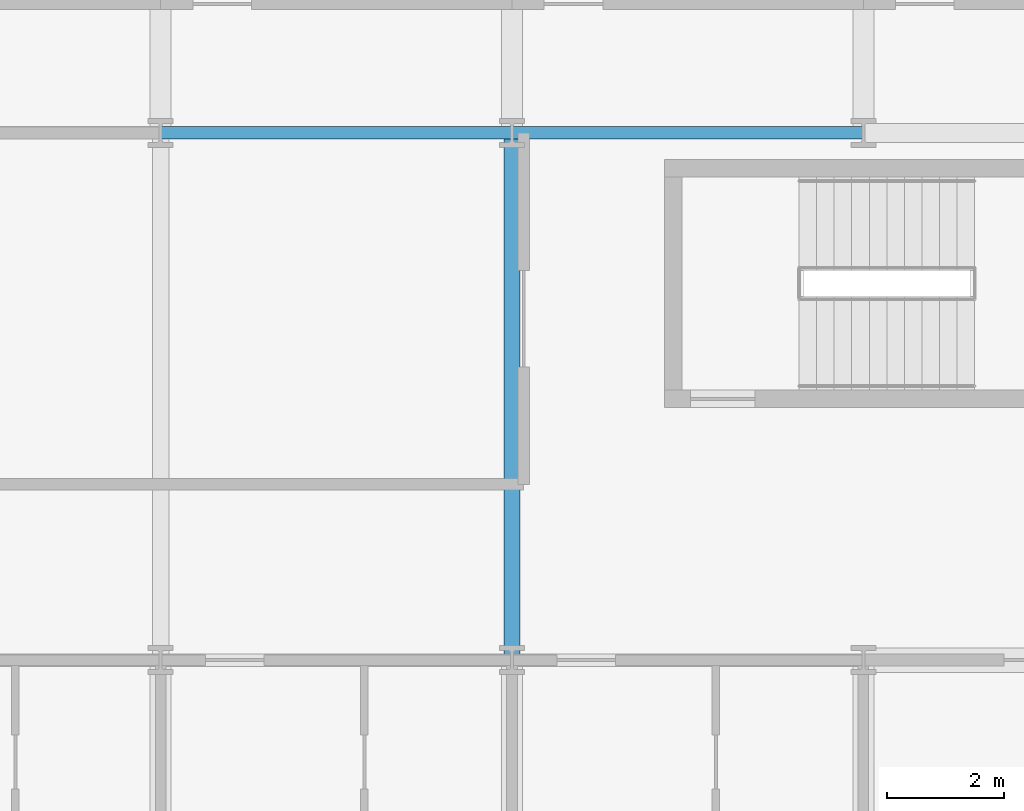
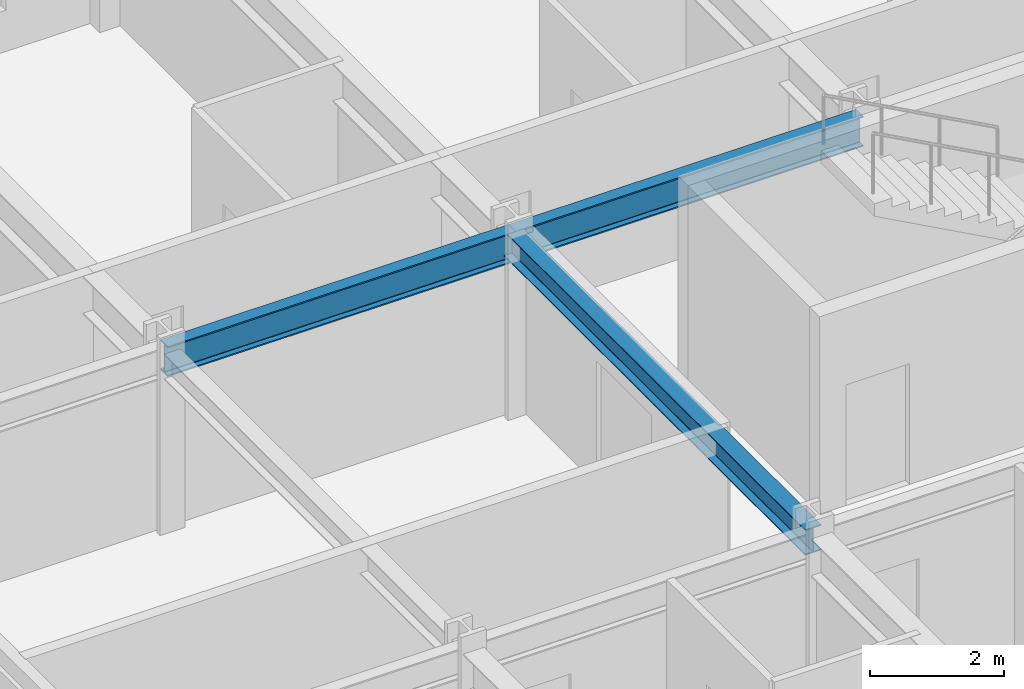
# One storey, part 7 of 22: 3 beams.
"""IFC4 building model written with IfcOpenShell, lengths in metres."""

from ifc_helpers import new_model, si_unit, direction, frame, origin, origin_2d, place, context, subcontext, project, spatial, i_section, extrude, material, material_profile, profile_set, type_object, element, save


model = new_model("IFC4")

# Units and contexts
model_context = context("Model", 3, precision=1e-05, world=origin(), true_north=direction((0.0, 1.0)))
body_context = subcontext(model_context, "Body", "Model", "MODEL_VIEW")
ifc_project = project(units=[si_unit("LENGTHUNIT", "METRE"), si_unit("AREAUNIT", "SQUARE_METRE"), si_unit("VOLUMEUNIT", "CUBIC_METRE"), si_unit("PLANEANGLEUNIT", "RADIAN"), si_unit("MASSUNIT", "GRAM", prefix="KILO")], contexts=[model_context])

# Site, building, storey
site_placement = place(None, origin())
site = spatial("IfcSite", under=ifc_project, at=site_placement, CompositionType="ELEMENT")
building_placement = place(site_placement, origin())
building = spatial("IfcBuilding", under=site, at=building_placement, Name="Kaldorvane Square Convention Centre", CompositionType="ELEMENT")
storey_placement = place(building_placement, frame((0.0, 0.0, 34.80000305175781)))
storey = spatial("IfcBuildingStorey", under=building, at=storey_placement, Name="L07", CompositionType="ELEMENT", Elevation=34.80000305175781)

# Beams
ifc_material = material(Name="Steel ASTM A992 Gr. 50", Category="steel")
ifc_material_profile_1 = material_profile(ifc_material, i_section(OverallWidth=0.213897705078125, OverallDepth=0.549102783203125, WebThickness=0.0146942138671875, FlangeThickness=0.0236053466796875, FilletRadius=0.0126953125, at=origin_2d()), Name="W21X93")
ifc_profile_set_1 = profile_set([ifc_material_profile_1], Name="Steel ASTM A992 Gr. 50")
beam_type_1 = type_object("IfcBeamType", Name="BM-GR-W21X93", PredefinedType="BEAM", material=ifc_profile_set_1)
for number, where, z_axis, x_axis, name in (
    (1, (30.0, 105.0, 3.0114898681640625), (1.0, 0.0, 0.0), (0.0, 1.0, 0.0), "Primary Girder (L07)"),
    (2, (36.0, 105.0, 3.0114898681640625), (1.0, 0.0, 0.0), (0.0, 1.0, 0.0), "Primary Girder (L07)"),
):
    element("IfcBeam", number, at=place(storey_placement, frame(where, z_axis=z_axis, x_axis=x_axis)), inside=storey, type_object=beam_type_1, Name=name, PredefinedType="BEAM", context=body_context, shape_type="SweptSolid", body=[
        extrude(i_section(OverallWidth=0.213897705078125, OverallDepth=0.549102783203125, WebThickness=0.0146942138671875, FlangeThickness=0.0236053466796875, FilletRadius=0.0126953125, at=origin_2d()), origin(), (0.0, 0.0, 1.0), 6.0),
    ])
ifc_material_profile_2 = material_profile(ifc_material, i_section(OverallWidth=0.2799072265625, OverallDepth=0.462799072265625, WebThickness=0.01080322265625, FlangeThickness=0.017303466796875, FilletRadius=0.01019287109375, at=origin_2d()), Name="W18X76")
ifc_profile_set_2 = profile_set([ifc_material_profile_2], Name="Steel ASTM A992 Gr. 50")
beam_type_2 = type_object("IfcBeamType", Name="BM-JS-W18X76", PredefinedType="JOIST", material=ifc_profile_set_2)
beam_placement = place(storey_placement, frame((36.0, 96.0, 3.054595947265625), z_axis=(0.0, 1.0, 0.0), x_axis=(-1.0, 0.0, 0.0)))
element("IfcBeam", 3, at=beam_placement, inside=storey, type_object=beam_type_2, Name="Transverse Girder (L07)", PredefinedType="JOIST", context=body_context, shape_type="SweptSolid", body=[
    extrude(i_section(OverallWidth=0.2799072265625, OverallDepth=0.462799072265625, WebThickness=0.01080322265625, FlangeThickness=0.017303466796875, FilletRadius=0.01019287109375, at=origin_2d()), origin(), (0.0, 0.0, 1.0), 9.0),
])

save(model, "model.ifc")
